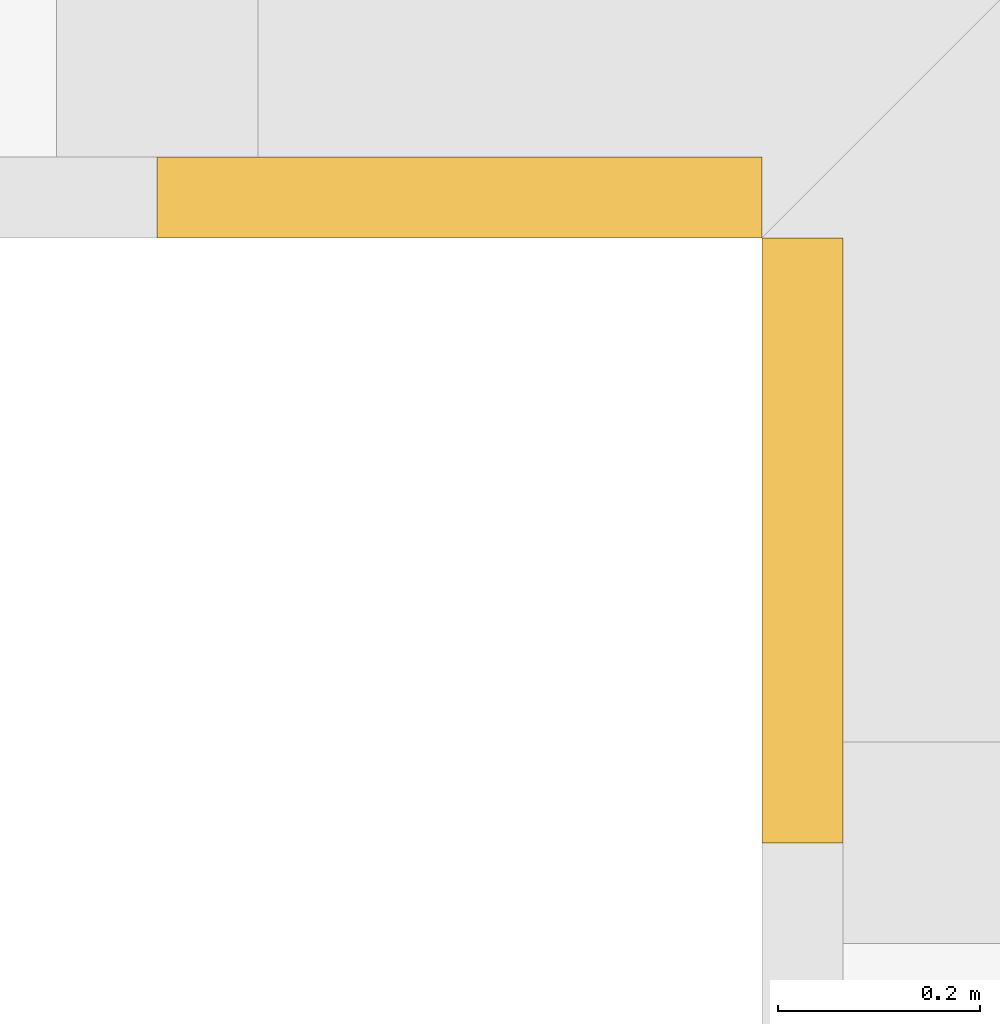
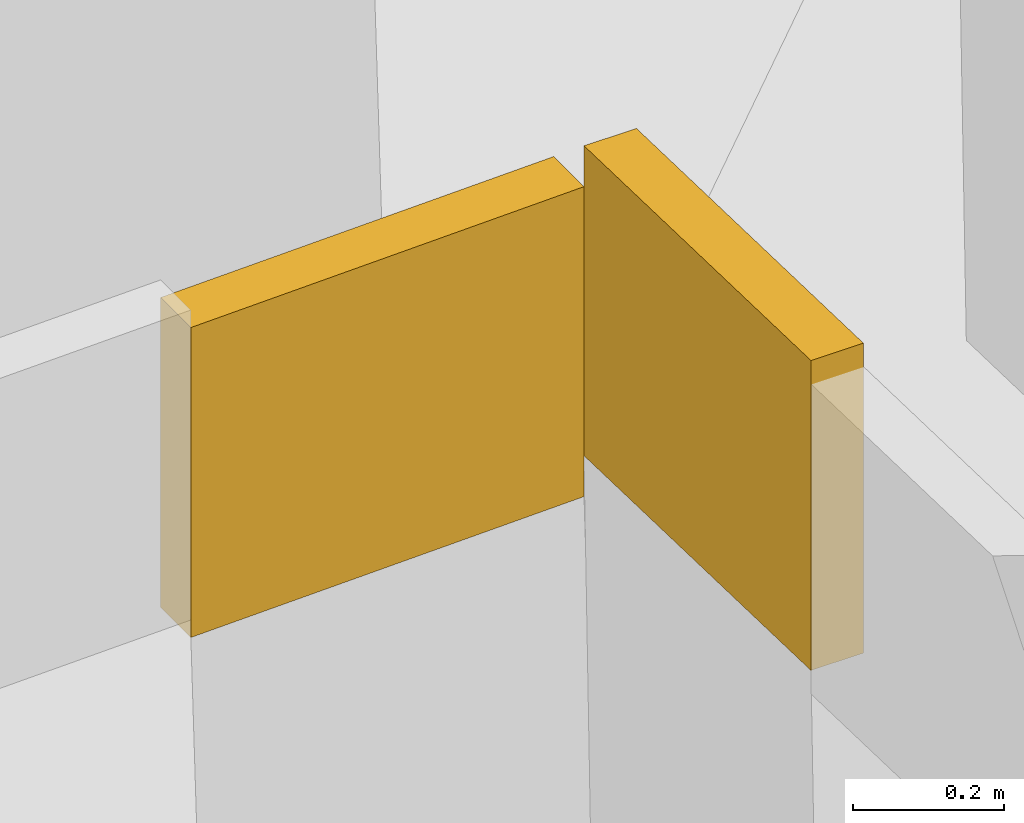
# One storey, part 26 of 27: 2 coverings.
"""IFC4 building model written with IfcOpenShell, lengths in metres."""

from ifc_helpers import new_model, si_unit, direction, frame, origin, place, context, subcontext, project, spatial, polyline, outline, extrude, material, layer, layer_set, type_object, element, save


model = new_model("IFC4")

# Units and contexts
model_context = context("Model", 3, precision=1e-05, world=origin(), true_north=direction((0.0, 1.0)))
body_context = subcontext(model_context, "Body", "Model", "MODEL_VIEW")
ifc_project = project(units=[si_unit("LENGTHUNIT", "METRE"), si_unit("AREAUNIT", "SQUARE_METRE"), si_unit("VOLUMEUNIT", "CUBIC_METRE"), si_unit("PLANEANGLEUNIT", "RADIAN"), si_unit("MASSUNIT", "GRAM", prefix="KILO")], contexts=[model_context])

# Site, building, storey
site_placement = place(None, origin())
site = spatial("IfcSite", under=ifc_project, at=site_placement, CompositionType="ELEMENT")
building_placement = place(site_placement, origin())
building = spatial("IfcBuilding", under=site, at=building_placement, Name="Saffron Gate Tower", CompositionType="ELEMENT")
storey_placement = place(building_placement, frame((0.0, 0.0, 267.14990234375)))
storey = spatial("IfcBuildingStorey", under=building, at=storey_placement, Name="L64", CompositionType="ELEMENT", Elevation=267.14990234375)

# Coverings
ifc_material = material(Name="Timber, thermally modified ash", Category="wood")
ifc_layer = layer(ifc_material, 0.080078125)
ifc_layer_set = layer_set([ifc_layer], Name="LD2 ledge planter trough")
covering_type = type_object("IfcCoveringType", Name="LD2 ledge planter trough", PredefinedType="CLADDING", material=ifc_layer_set)
for number, where, z_axis, x_axis, name in (
    (1, (49.800048828125, 32.39990234375, 0.471923828125), (0.0, -1.0, 0.0), (0.999582742162, 0.0, 0.028884971385), "LEDGE planter trough"),
    (2, (50.39990234375, 32.39990234375, 0.55517578125), (-1.0, 0.0, 0.0), (0.0, -0.999582742162, 0.028884971385), "LEDGE planter trough"),
):
    element("IfcCovering", number, at=place(storey_placement, frame(where, z_axis=z_axis, x_axis=x_axis)), inside=storey, type_object=covering_type, Name=name, PredefinedType="CLADDING", context=body_context, shape_type="SweptSolid", body=[
        extrude(outline(polyline([(0.0, 0.0), (0.6001039136866089, 0.0), (0.614546399379222, 0.4997913710809928), (0.014442485692613144, 0.49979137108099286), (0.0, 0.0)])), origin(), (0.0, 0.0, -1.0), 0.080078125),
    ])

save(model, "model.ifc")
